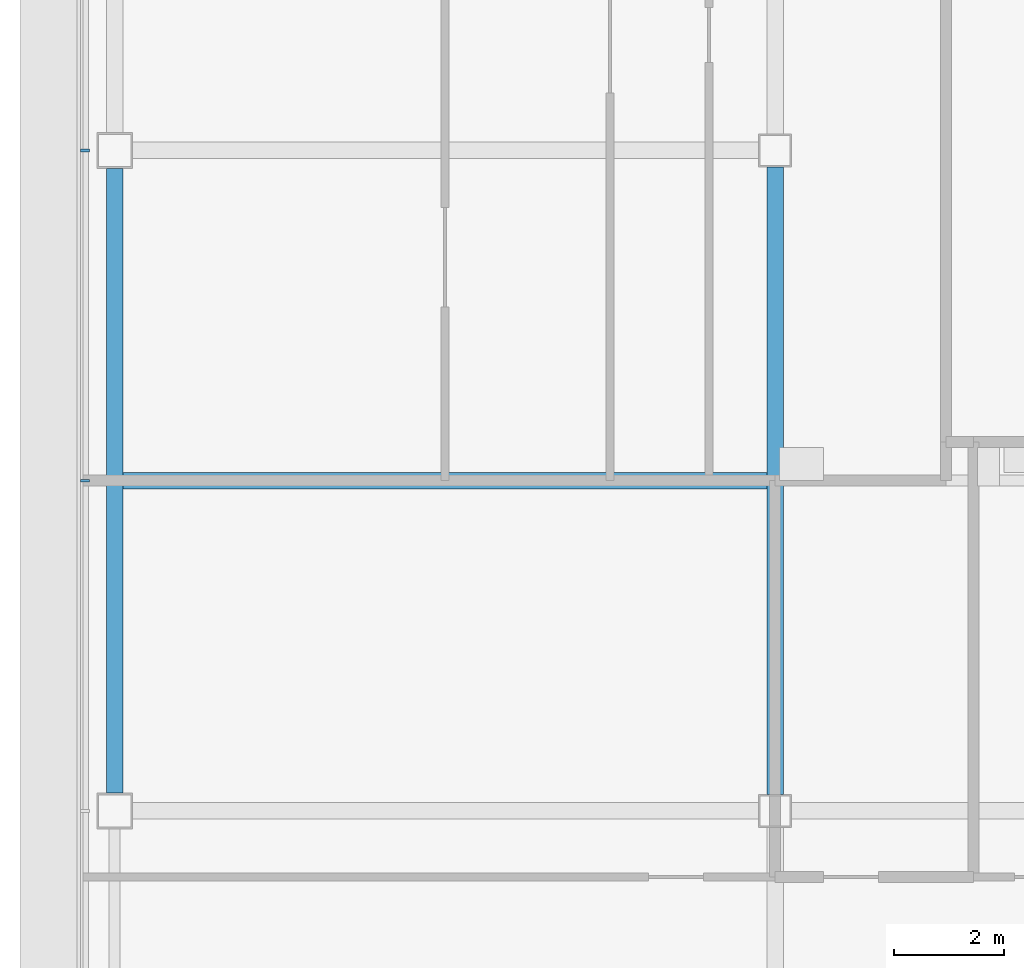
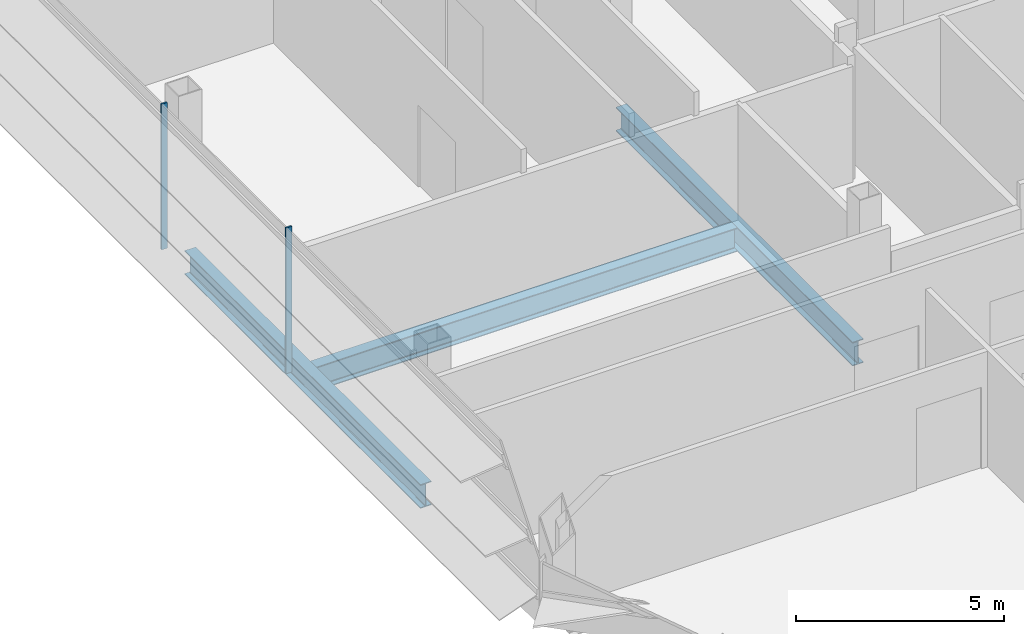
# One storey, part 4 of 30: 3 beams, 2 members, 1 element without a shape of its own.
"""IFC4 building model written with IfcOpenShell, lengths in metres."""

import ifcopenshell
import ifcopenshell.guid

model = None  # the IFC model being written
_history = None  # IfcOwnerHistory: only IFC2X3 demands one
_inside = {}  # id of a spatial element -> (the spatial element, [elements in it])
_under = {}  # id of a project, library or spatial element -> (it, [spatial elements below it])
_declared = {}  # id of a project -> (the project, [libraries it declares])
_typed = {}  # id of a type object -> (the type object, [elements of that type])
_made_of = {}  # id of a material, layer set ... -> (it, [elements and type objects made of it])


def new_model(schema):
    """Start an empty IFC model of exactly this schema.

    Asked for "IFC4X3", IfcOpenShell would pick the latest addendum, in which some entities
    have other attributes; the version numbers below select the first issue.
    IFC2X3 requires an IfcOwnerHistory on every rooted entity: one is made here for all.
    """
    global model, _history
    if schema == "IFC4X3":
        model = ifcopenshell.file(schema_version=(4, 3, 0, 0))
    else:
        model = ifcopenshell.file(schema=schema)
    _inside.clear()
    _under.clear()
    _declared.clear()
    _typed.clear()
    _made_of.clear()
    _history = None
    if model.schema == "IFC2X3":
        org = make("IfcOrganization", Name="unknown")
        user = make(
            "IfcPersonAndOrganization",
            ThePerson=make("IfcPerson", FamilyName="unknown"),
            TheOrganization=org,
        )
        app = make(
            "IfcApplication",
            ApplicationDeveloper=org,
            Version="unknown",
            ApplicationFullName="unknown",
            ApplicationIdentifier="unknown",
        )
        _history = make(
            "IfcOwnerHistory",
            OwningUser=user,
            OwningApplication=app,
            ChangeAction="ADDED",
            CreationDate=0,
        )
    return model


def make(cls, **values):
    """One entity of the class cls with the attributes given. An attribute that is None is left unset."""
    return model.create_entity(
        cls, **{name: value for name, value in values.items() if value is not None}
    )


def rooted(cls, **values):
    """An entity with a GlobalId (a new one), such as an element, a storey or a relation."""
    return make(cls, GlobalId=ifcopenshell.guid.new(), OwnerHistory=_history, **values)


def si_unit(unit_type, name, prefix=None):
    """IfcSIUnit, for example si_unit("LENGTHUNIT", "METRE", prefix="MILLI")."""
    return make("IfcSIUnit", UnitType=unit_type, Prefix=prefix, Name=name)


def assignment(units):
    """IfcUnitAssignment: the units of a project."""
    return None if units is None else make("IfcUnitAssignment", Units=units)


def point(xyz):
    """IfcCartesianPoint."""
    return None if xyz is None else make("IfcCartesianPoint", Coordinates=xyz)


def direction(xyz):
    """IfcDirection."""
    return None if xyz is None else make("IfcDirection", DirectionRatios=xyz)


def frame(location, z_axis=None, x_axis=None):
    """IfcAxis2Placement3D, a coordinate frame: its origin and axes. An axis left out is left unset."""
    return make(
        "IfcAxis2Placement3D",
        Location=point(location),
        Axis=direction(z_axis),
        RefDirection=direction(x_axis),
    )


def frame_2d(location, x_axis=None):
    """IfcAxis2Placement2D, a coordinate frame in the plane: its origin and x axis."""
    return make(
        "IfcAxis2Placement2D", Location=point(location), RefDirection=direction(x_axis)
    )


def origin():
    """The frame at (0, 0, 0) with its axes left unset."""
    return frame((0.0, 0.0, 0.0))


def origin_2d():
    """The frame at (0, 0) in the plane with its x axis left unset."""
    return frame_2d((0.0, 0.0))


def place(relative_to, where):
    """IfcLocalPlacement: puts the frame where relative to a parent placement (None: the world)."""
    return make(
        "IfcLocalPlacement", PlacementRelTo=relative_to, RelativePlacement=where
    )


def context(
    kind, dimensions, precision=None, world=None, true_north=None, identifier=None
):
    """IfcGeometricRepresentationContext, for example the 3D "Model" context."""
    return make(
        "IfcGeometricRepresentationContext",
        ContextIdentifier=identifier,
        ContextType=kind,
        CoordinateSpaceDimension=dimensions,
        Precision=precision,
        WorldCoordinateSystem=world,
        TrueNorth=true_north,
    )


def subcontext(parent, identifier, kind, view, scale=None):
    """IfcGeometricRepresentationSubContext, for example "Body" below "Model"."""
    return make(
        "IfcGeometricRepresentationSubContext",
        ContextIdentifier=identifier,
        ContextType=kind,
        ParentContext=parent,
        TargetScale=scale,
        TargetView=view,
    )


def project(units=None, contexts=None):
    """IfcProject with its units and contexts."""
    return rooted(
        "IfcProject",
        Name="project",
        RepresentationContexts=contexts,
        UnitsInContext=assignment(units),
    )


def spatial(cls, under=None, at=None, **own):
    """A site, building, storey or space (cls), placed at a placement, below another one or the project."""
    s = rooted(cls, ObjectPlacement=at, **own)
    if under is not None:
        _under.setdefault(under.id(), (under, []))[1].append(s)
    return s


def profile(cls, at=None, kind="AREA", **sizes):
    """A parametric profile (cls). Its sizes go by their IFC names, for example OverallWidth=200.0."""
    return make(cls, ProfileType=kind, Position=at, **sizes)


def rectangle(**sizes):
    """IfcRectangleProfileDef."""
    return profile("IfcRectangleProfileDef", **sizes)


def i_section(**sizes):
    """IfcIShapeProfileDef."""
    return profile("IfcIShapeProfileDef", **sizes)


def extrude(swept, where, along, depth):
    """IfcExtrudedAreaSolid: the profile swept, set in the frame where, extruded along a direction by depth."""
    return make(
        "IfcExtrudedAreaSolid",
        SweptArea=swept,
        Position=where,
        ExtrudedDirection=direction(along),
        Depth=depth,
    )


def shape(context_of_items, identifier, shape_type, items):
    """IfcShapeRepresentation: the items that make up one representation, for example the "Body"."""
    return make(
        "IfcShapeRepresentation",
        ContextOfItems=context_of_items,
        RepresentationIdentifier=identifier,
        RepresentationType=shape_type,
        Items=items,
    )


def material(Name=None, Category=None):
    """IfcMaterial."""
    return make("IfcMaterial", Name=Name, Category=Category)


def material_profile(
    of_material, cross_section, Name=None, Category=None, Priority=None
):
    """IfcMaterialProfile: a cross section and its material."""
    return make(
        "IfcMaterialProfile",
        Name=Name,
        Material=of_material,
        Profile=cross_section,
        Priority=Priority,
        Category=Category,
    )


def profile_set(profiles, Name=None, composite=None):
    """IfcMaterialProfileSet."""
    return make(
        "IfcMaterialProfileSet",
        Name=Name,
        MaterialProfiles=profiles,
        CompositeProfile=composite,
    )


def made_of(thing, what):
    """Note that an element or type object is made of a material, layer set ...; save() writes the relation."""
    if what is not None:
        _made_of.setdefault(what.id(), (what, []))[1].append(thing)
    return thing


def type_object(cls, material=None, **own):
    """A type object (cls), such as IfcWallType, which elements share."""
    return made_of(rooted(cls, **own), material)


def element(
    cls,
    number,
    at=None,
    inside=None,
    cuts=None,
    type_object=None,
    material=None,
    context=None,
    identifier="Body",
    shape_type=None,
    held_by="IfcProductDefinitionShape",
    body=None,
    shapes=None,
    **own,
):
    """One element of the class cls, such as IfcWall. Its Tag is "e" and its number.

    at: its placement. inside: the storey or other place that contains it. cuts: it is an
    opening in that element (IfcRelVoidsElement). A single representation is given by context,
    identifier, shape_type and body (its items); several are given by shapes. held_by: the class
    of the entity that holds the representations. save() writes the other relations.
    """
    e = rooted(cls, Tag="e%d" % number, ObjectPlacement=at, **own)
    if body is not None:
        shapes = [shape(context, identifier, shape_type, body)]
    if shapes is not None:
        e.Representation = make(held_by, Representations=shapes)
    if inside is not None:
        _inside.setdefault(inside.id(), (inside, []))[1].append(e)
    if cuts is not None:
        rooted(
            "IfcRelVoidsElement", RelatingBuildingElement=cuts, RelatedOpeningElement=e
        )
    if type_object is not None:
        _typed.setdefault(type_object.id(), (type_object, []))[1].append(e)
    return made_of(e, material)


def aggregate(whole, parts):
    """IfcRelAggregates: a whole, such as a stair, and the parts it consists of."""
    return rooted("IfcRelAggregates", RelatingObject=whole, RelatedObjects=parts)


def save(model, path):
    """Write the relations noted so far, then the file.

    IfcRelAggregates (storeys below a building ...), IfcRelContainedInSpatialStructure (elements
    in a storey), IfcRelDefinesByType, IfcRelAssociatesMaterial and IfcRelDeclares: one each for
    every whole, place, type object, material and project.
    """
    for whole, parts in _under.values():
        aggregate(whole, parts)
    for where, things in _inside.values():
        rooted(
            "IfcRelContainedInSpatialStructure",
            RelatedElements=things,
            RelatingStructure=where,
        )
    for kind, things in _typed.values():
        rooted("IfcRelDefinesByType", RelatedObjects=things, RelatingType=kind)
    for what, things in _made_of.values():
        rooted("IfcRelAssociatesMaterial", RelatedObjects=things, RelatingMaterial=what)
    for by, libraries in _declared.values():
        rooted("IfcRelDeclares", RelatingContext=by, RelatedDefinitions=libraries)
    model.write(path)


model = new_model("IFC4")

# Units and contexts
model_context = context("Model", 3, precision=1e-05, world=origin(), true_north=direction((0.0, 1.0)))
body_context = subcontext(model_context, "Body", "Model", "MODEL_VIEW")
ifc_project = project(units=[si_unit("LENGTHUNIT", "METRE"), si_unit("AREAUNIT", "SQUARE_METRE"), si_unit("VOLUMEUNIT", "CUBIC_METRE"), si_unit("PLANEANGLEUNIT", "RADIAN"), si_unit("MASSUNIT", "GRAM", prefix="KILO")], contexts=[model_context])

# Site, building, storey
site_placement = place(None, origin())
site = spatial("IfcSite", under=ifc_project, at=site_placement, CompositionType="ELEMENT")
building_placement = place(site_placement, origin())
building = spatial("IfcBuilding", under=site, at=building_placement, Name="Sorahane Residences", CompositionType="ELEMENT")
storey_placement = place(building_placement, frame((0.0, 0.0, 229.800048828125)))
storey = spatial("IfcBuildingStorey", under=building, at=storey_placement, Name="L54", CompositionType="ELEMENT", Elevation=229.800048828125)

# Curtain wall, members
ifc_material_1 = material(Name="Dark low-e glass and black anodised aluminium", Category="aluminium")
curtain_wall_type = type_object("IfcCurtainWallType", Name="Curtain wall CW-1 Typical unitised wall", PredefinedType="NOTDEFINED", material=ifc_material_1)
curtain_wall_placement = place(storey_placement, origin())
curtain_wall = element("IfcCurtainWall", 1, at=curtain_wall_placement, inside=storey, type_object=curtain_wall_type, Name="CW-1 curtain wall L54 W1", PredefinedType="NOTDEFINED")
ifc_material_2 = material(Name="Black anodised aluminium", Category="aluminium")
ifc_material_profile_1 = material_profile(ifc_material_2, rectangle(XDim=0.159912109375, YDim=0.050048828125, at=origin_2d()), Name="Curtain wall mullion CW-1 black anodised aluminium 50x160")
ifc_profile_set_1 = profile_set([ifc_material_profile_1], Name="Black anodised aluminium")
member_type = type_object("IfcMemberType", Name="Curtain wall mullion CW-1 black anodised aluminium 50x160", PredefinedType="MULLION", material=ifc_profile_set_1)
member_1_placement = place(storey_placement, frame((-12.5400390625, 24.0, -0.179931640625), z_axis=(0.0, 0.0, 1.0), x_axis=(-1.0, 0.0, 0.0)))
member_1 = element("IfcMember", 2, at=member_1_placement, type_object=member_type, Name="CW-1 mullion L54 W1.4", PredefinedType="MULLION", context=body_context, shape_type="SweptSolid", body=[
    extrude(rectangle(XDim=0.159912109375, YDim=0.050048828125, at=origin_2d()), origin(), (0.0, 0.0, 1.0), 4.27978515625),
])
member_2_placement = place(storey_placement, frame((-12.5400390625, 18.0, -0.179931640625), z_axis=(0.0, 0.0, 1.0), x_axis=(-1.0, 0.0, 0.0)))
member_2 = element("IfcMember", 3, at=member_2_placement, type_object=member_type, Name="CW-1 mullion L54 W1.5", PredefinedType="MULLION", context=body_context, shape_type="SweptSolid", body=[
    extrude(rectangle(XDim=0.159912109375, YDim=0.050048828125, at=origin_2d()), origin(), (0.0, 0.0, 1.0), 4.27978515625),
])
aggregate(curtain_wall, [member_1, member_2])

# Beams
ifc_material_3 = material(Name="Steel Q355B", Category="steel")
ifc_material_profile_2 = material_profile(ifc_material_3, i_section(OverallWidth=0.300048828125, OverallDepth=0.699951171875, WebThickness=0.012939453125, FlangeThickness=0.02392578125, FilletRadius=0.028076171875, at=origin_2d()), Name="HN 700x300x13x24")
ifc_profile_set_2 = profile_set([ifc_material_profile_2], Name="Steel Q355B")
beam_type = type_object("IfcBeamType", Name="Steel floor beam HN 700x300x13x24 Q355B", PredefinedType="BEAM", material=ifc_profile_set_2)
beam_1_placement = place(storey_placement, frame((-12.0, 12.324951171875, -0.530029296875), z_axis=(0.0, 1.0, 0.0), x_axis=(-1.0, 0.0, 0.0)))
element("IfcBeam", 4, at=beam_1_placement, inside=storey, type_object=beam_type, Name="Beam L54 021", PredefinedType="BEAM", context=body_context, shape_type="SweptSolid", body=[
    extrude(i_section(OverallWidth=0.300048828125, OverallDepth=0.699951171875, WebThickness=0.012939453125, FlangeThickness=0.02392578125, FilletRadius=0.028076171875, at=origin_2d()), origin(), (0.0, 0.0, 1.0), 11.35009765625),
])
beam_2_placement = place(storey_placement, frame((0.0, 12.300048828125, -0.530029296875), z_axis=(0.0, 1.0, 0.0), x_axis=(-1.0, 0.0, 0.0)))
element("IfcBeam", 5, at=beam_2_placement, inside=storey, type_object=beam_type, Name="Beam L54 025", PredefinedType="BEAM", context=body_context, shape_type="SweptSolid", body=[
    extrude(i_section(OverallWidth=0.300048828125, OverallDepth=0.699951171875, WebThickness=0.012939453125, FlangeThickness=0.02392578125, FilletRadius=0.028076171875, at=origin_2d()), origin(), (0.0, 0.0, 1.0), 11.39990234375),
])
beam_3_placement = place(storey_placement, frame((-11.85009765625, 18.0, -0.530029296875), z_axis=(1.0, 0.0, 0.0), x_axis=(0.0, 1.0, 0.0)))
element("IfcBeam", 6, at=beam_3_placement, inside=storey, type_object=beam_type, Name="Beam L54 077", PredefinedType="BEAM", context=body_context, shape_type="SweptSolid", body=[
    extrude(i_section(OverallWidth=0.300048828125, OverallDepth=0.699951171875, WebThickness=0.012939453125, FlangeThickness=0.02392578125, FilletRadius=0.028076171875, at=origin_2d()), origin(), (0.0, 0.0, 1.0), 11.7001953125),
])

save(model, "model.ifc")
